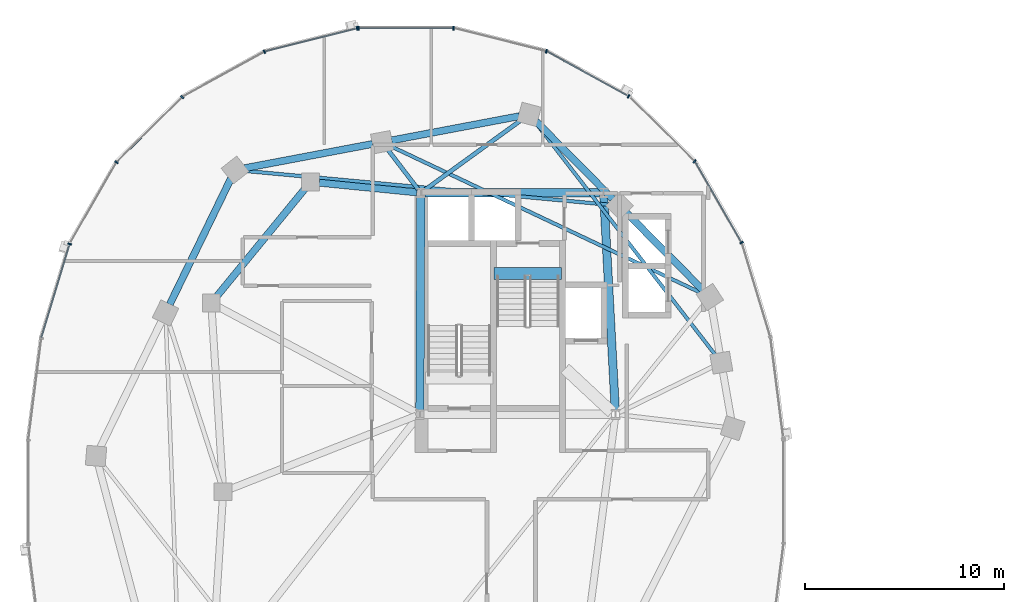
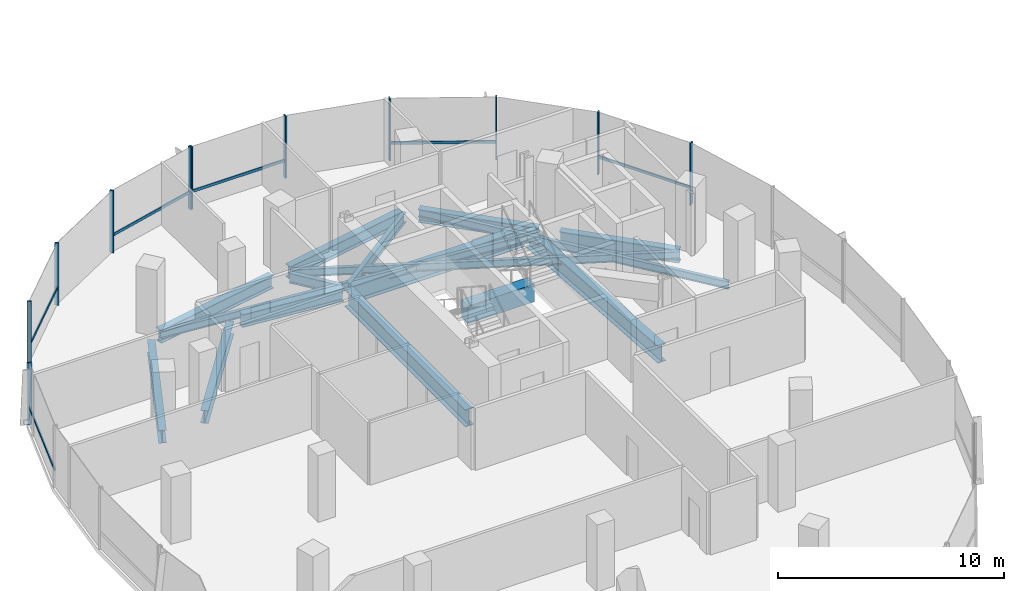
# One storey, part 5 of 22: 17 members, 16 beams, 2 elements without a shape of their own.
"""IFC4 building model written with IfcOpenShell, lengths in metres."""

from ifc_helpers import new_model, si_unit, direction, frame, origin, origin_2d, place, context, subcontext, project, spatial, rectangle, i_section, extrude, material, material_profile, profile_set, type_object, element, aggregate, save


model = new_model("IFC4")

# Units and contexts
model_context = context("Model", 3, precision=1e-05, world=origin(), true_north=direction((0.0, 1.0)))
body_context = subcontext(model_context, "Body", "Model", "MODEL_VIEW")
ifc_project = project(units=[si_unit("LENGTHUNIT", "METRE"), si_unit("AREAUNIT", "SQUARE_METRE"), si_unit("VOLUMEUNIT", "CUBIC_METRE"), si_unit("PLANEANGLEUNIT", "RADIAN"), si_unit("MASSUNIT", "GRAM", prefix="KILO"), si_unit("THERMODYNAMICTEMPERATUREUNIT", "KELVIN"), si_unit("POWERUNIT", "WATT")], contexts=[model_context])

# Site, building, storey
site_placement = place(None, origin())
site = spatial("IfcSite", under=ifc_project, at=site_placement, CompositionType="ELEMENT")
building_placement = place(site_placement, origin())
building = spatial("IfcBuilding", under=site, at=building_placement, Name="Cundina Bronze Exchange", CompositionType="ELEMENT")
storey_placement = place(building_placement, frame((0.0, 0.0, 162.0)))
storey = spatial("IfcBuildingStorey", under=building, at=storey_placement, Name="L42", CompositionType="ELEMENT", Elevation=162.0)

# Beams
ifc_material_1 = material(Name="Concrete C60/75", Category="concrete")
ifc_material_profile_1 = material_profile(ifc_material_1, rectangle(XDim=0.60009765625, YDim=0.949951171875, at=origin_2d()), Name="RC600X950", Category="concrete")
ifc_profile_set_1 = profile_set([ifc_material_profile_1], Name="Concrete C60/75")
beam_type_1 = type_object("IfcBeamType", Name="BM-COUP-RC950", PredefinedType="LINTEL", material=ifc_profile_set_1)
beam_1_placement = place(storey_placement, frame((-27.56005859375, 10.97998046875, -0.47509765625), z_axis=(1.0, 0.0, 0.0), x_axis=(0.0, 1.0, 0.0)))
element("IfcBeam", 1, at=beam_1_placement, inside=storey, type_object=beam_type_1, Name="L42 Stair W2 Landing Header Beam", PredefinedType="LINTEL", context=body_context, shape_type="SweptSolid", body=[
    extrude(rectangle(XDim=0.60009765625, YDim=0.949951171875, at=origin_2d()), origin(), (0.0, 0.0, 1.0), 3.400146484375),
])
ifc_material_2 = material(Name="Steel ASTM A992 Grade 50", Category="steel")
ifc_material_profile_2 = material_profile(ifc_material_2, i_section(OverallWidth=0.2119140625, OverallDepth=0.5439453125, WebThickness=0.01318359375, FlangeThickness=0.021240234375, FilletRadius=0.013916015625, at=origin_2d()), Name="W21X83", Category="steel")
ifc_profile_set_2 = profile_set([ifc_material_profile_2], Name="Steel ASTM A992 Grade 50")
beam_type_2 = type_object("IfcBeamType", Name="BM-FLR-W21A", PredefinedType="BEAM", material=ifc_profile_set_2)
beam_2_placement = place(storey_placement, frame((-31.084716796875, 15.169677734375, -0.511962890625), z_axis=(0.809693047063, 0.586853618492, 0.0), x_axis=(-0.586853618492, 0.809693047063, 0.0)))
element("IfcBeam", 2, at=beam_2_placement, inside=storey, type_object=beam_type_2, Name="L42 Leg W Radial Floor Beam 04", PredefinedType="BEAM", context=body_context, shape_type="SweptSolid", body=[
    extrude(i_section(OverallWidth=0.2119140625, OverallDepth=0.5439453125, WebThickness=0.01318359375, FlangeThickness=0.021240234375, FilletRadius=0.013916015625, at=origin_2d()), origin(), (0.0, 0.0, 1.0), 6.038818359375),
])
beam_3_placement = place(storey_placement, frame((-31.373779296875, 15.2119140625, -0.511962890625), z_axis=(-0.607450107571, 0.794357832977, 0.0), x_axis=(-0.794357832977, -0.607450107571, 0.0)))
element("IfcBeam", 3, at=beam_3_placement, inside=storey, type_object=beam_type_2, Name="L42 Leg W Radial Floor Beam 05", PredefinedType="BEAM", context=body_context, shape_type="SweptSolid", body=[
    extrude(i_section(OverallWidth=0.2119140625, OverallDepth=0.5439453125, WebThickness=0.01318359375, FlangeThickness=0.021240234375, FilletRadius=0.013916015625, at=origin_2d()), origin(), (0.0, 0.0, 1.0), 2.518310546875),
])
ifc_material_profile_3 = material_profile(ifc_material_2, i_section(OverallWidth=0.178955078125, OverallDepth=0.409912109375, WebThickness=0.0087890625, FlangeThickness=0.014404296875, FilletRadius=0.010986328125, at=origin_2d()), Name="W16X45", Category="steel")
ifc_profile_set_3 = profile_set([ifc_material_profile_3], Name="Steel ASTM A992 Grade 50")
beam_type_3 = type_object("IfcBeamType", Name="BM-JST-W16", PredefinedType="JOIST", material=ifc_profile_set_3)
beam_4_placement = place(storey_placement, frame((-16.423583984375, 6.885986328125, -0.445068359375), z_axis=(-0.61208354334, 0.790793105668, 0.0), x_axis=(-0.790793105668, -0.61208354334, 0.0)))
element("IfcBeam", 4, at=beam_4_placement, inside=storey, type_object=beam_type_3, Name="L42 Leg W Lobe Floor Joist 01-04", PredefinedType="JOIST", context=body_context, shape_type="SweptSolid", body=[
    extrude(i_section(OverallWidth=0.178955078125, OverallDepth=0.409912109375, WebThickness=0.0087890625, FlangeThickness=0.014404296875, FilletRadius=0.010986328125, at=origin_2d()), origin(), (0.0, 0.0, 1.0), 14.830810546875),
])
beam_5_placement = place(storey_placement, frame((-17.14111328125, 10.008544921875, -0.445068359375), z_axis=(-0.904074252188, 0.427375416385, 0.0), x_axis=(-0.427375416385, -0.904074252188, 0.0)))
element("IfcBeam", 5, at=beam_5_placement, inside=storey, type_object=beam_type_3, Name="L42 Leg W Lobe Floor Joist 02-05", PredefinedType="JOIST", context=body_context, shape_type="SweptSolid", body=[
    extrude(i_section(OverallWidth=0.178955078125, OverallDepth=0.409912109375, WebThickness=0.0087890625, FlangeThickness=0.014404296875, FilletRadius=0.010986328125, at=origin_2d()), origin(), (0.0, 0.0, 1.0), 17.274658203125),
])
beam_6_placement = place(storey_placement, frame((-21.73583984375, 14.4453125, -0.445068359375), z_axis=(-0.995701840093, 0.092616659595, 0.0), x_axis=(-0.092616659595, -0.995701840093, 0.0)))
element("IfcBeam", 6, at=beam_6_placement, inside=storey, type_object=beam_type_3, Name="L42 Leg W Lobe Floor Joist 03-06", PredefinedType="JOIST", context=body_context, shape_type="SweptSolid", body=[
    extrude(i_section(OverallWidth=0.178955078125, OverallDepth=0.409912109375, WebThickness=0.0087890625, FlangeThickness=0.014404296875, FilletRadius=0.010986328125, at=origin_2d()), origin(), (0.0, 0.0, 1.0), 18.45751953125),
])
ifc_material_profile_4 = material_profile(ifc_material_2, i_section(OverallWidth=0.35498046875, OverallDepth=0.695068359375, WebThickness=0.015380859375, FlangeThickness=0.02490234375, FilletRadius=0.01806640625, at=origin_2d()), Name="W27X146", Category="steel")
ifc_profile_set_4 = profile_set([ifc_material_profile_4], Name="Steel ASTM A992 Grade 50")
beam_type_4 = type_object("IfcBeamType", Name="BM-RING-W27", PredefinedType="USERDEFINED", material=ifc_profile_set_4)
beam_7_placement = place(storey_placement, frame((-31.452880859375, 15.070068359375, -0.58740234375), z_axis=(-0.995123020608, 0.098641643622, 0.0), x_axis=(-0.098641643622, -0.995123020608, 0.0)))
element("IfcBeam", 7, at=beam_7_placement, inside=storey, type_object=beam_type_4, Name="L42 W Inner Structural Ring Girder 01", ObjectType="GIRDER", PredefinedType="USERDEFINED", context=body_context, shape_type="SweptSolid", body=[
    extrude(i_section(OverallWidth=0.35498046875, OverallDepth=0.695068359375, WebThickness=0.015380859375, FlangeThickness=0.02490234375, FilletRadius=0.01806640625, at=origin_2d()), origin(), (0.0, 0.0, 1.0), 4.935302734375),
])
beam_8_placement = place(storey_placement, frame((-37.07763671875, 15.26123046875, -0.58740234375), z_axis=(-0.633912590175, -0.77340469873, 0.0), x_axis=(0.77340469873, -0.633912590175, 0.0)))
element("IfcBeam", 8, at=beam_8_placement, inside=storey, type_object=beam_type_4, Name="L42 W Inner Structural Ring Girder 02", ObjectType="GIRDER", PredefinedType="USERDEFINED", context=body_context, shape_type="SweptSolid", body=[
    extrude(i_section(OverallWidth=0.35498046875, OverallDepth=0.695068359375, WebThickness=0.015380859375, FlangeThickness=0.02490234375, FilletRadius=0.01806640625, at=origin_2d()), origin(), (0.0, 0.0, 1.0), 7.01123046875),
])
beam_9_placement = place(storey_placement, frame((-17.043212890625, 10.14697265625, -0.58740234375), z_axis=(-0.703230112979, 0.710962311378, 0.0), x_axis=(-0.710962311378, -0.703230112979, 0.0)))
element("IfcBeam", 9, at=beam_9_placement, inside=storey, type_object=beam_type_4, Name="L42 W Perimeter Ring Girder 02", ObjectType="GIRDER", PredefinedType="USERDEFINED", context=body_context, shape_type="SweptSolid", body=[
    extrude(i_section(OverallWidth=0.35498046875, OverallDepth=0.695068359375, WebThickness=0.015380859375, FlangeThickness=0.02490234375, FilletRadius=0.01806640625, at=origin_2d()), origin(), (0.0, 0.0, 1.0), 5.493896484375),
])
beam_10_placement = place(storey_placement, frame((-21.59326171875, 14.746826171875, -0.58740234375), z_axis=(-0.703207895705, 0.710984286337, 0.0), x_axis=(-0.710984286337, -0.703207895705, 0.0)))
element("IfcBeam", 10, at=beam_10_placement, inside=storey, type_object=beam_type_4, Name="L42 W Perimeter Ring Girder 03", ObjectType="GIRDER", PredefinedType="USERDEFINED", context=body_context, shape_type="SweptSolid", body=[
    extrude(i_section(OverallWidth=0.35498046875, OverallDepth=0.695068359375, WebThickness=0.015380859375, FlangeThickness=0.02490234375, FilletRadius=0.01806640625, at=origin_2d()), origin(), (0.0, 0.0, 1.0), 5.494140625),
])
beam_11_placement = place(storey_placement, frame((-26.279541015625, 18.9091796875, -0.58740234375), z_axis=(-0.982571532667, -0.185884865421, 0.0), x_axis=(0.185884865421, -0.982571532667, 0.0)))
element("IfcBeam", 11, at=beam_11_placement, inside=storey, type_object=beam_type_4, Name="L42 W Perimeter Ring Girder 04", ObjectType="GIRDER", PredefinedType="USERDEFINED", context=body_context, shape_type="SweptSolid", body=[
    extrude(i_section(OverallWidth=0.35498046875, OverallDepth=0.695068359375, WebThickness=0.015380859375, FlangeThickness=0.02490234375, FilletRadius=0.01806640625, at=origin_2d()), origin(), (0.0, 0.0, 1.0), 6.55517578125),
])
beam_12_placement = place(storey_placement, frame((-33.679443359375, 17.50927734375, -0.58740234375), z_axis=(-0.982572819495, -0.185878063226, 0.0), x_axis=(0.185878063226, -0.982572819495, 0.0)))
element("IfcBeam", 12, at=beam_12_placement, inside=storey, type_object=beam_type_4, Name="L42 W Perimeter Ring Girder 05", ObjectType="GIRDER", PredefinedType="USERDEFINED", context=body_context, shape_type="SweptSolid", body=[
    extrude(i_section(OverallWidth=0.35498046875, OverallDepth=0.695068359375, WebThickness=0.015380859375, FlangeThickness=0.02490234375, FilletRadius=0.01806640625, at=origin_2d()), origin(), (0.0, 0.0, 1.0), 6.555419921875),
])
beam_13_placement = place(storey_placement, frame((-40.8134765625, 15.760986328125, -0.58740234375), z_axis=(-0.437196998825, -0.89936576776, 0.0), x_axis=(0.89936576776, -0.437196998825, 0.0)))
element("IfcBeam", 13, at=beam_13_placement, inside=storey, type_object=beam_type_4, Name="L42 W Perimeter Ring Girder 06", ObjectType="GIRDER", PredefinedType="USERDEFINED", context=body_context, shape_type="SweptSolid", body=[
    extrude(i_section(OverallWidth=0.35498046875, OverallDepth=0.695068359375, WebThickness=0.015380859375, FlangeThickness=0.02490234375, FilletRadius=0.01806640625, at=origin_2d()), origin(), (0.0, 0.0, 1.0), 7.029541015625),
])
ifc_material_profile_5 = material_profile(ifc_material_2, i_section(OverallWidth=0.41796875, OverallDepth=0.927001953125, WebThickness=0.019287109375, FlangeThickness=0.031982421875, FilletRadius=0.02392578125, at=origin_2d()), Name="W36X231", Category="steel")
ifc_profile_set_5 = profile_set([ifc_material_profile_5], Name="Steel ASTM A992 Grade 50")
beam_type_5 = type_object("IfcBeamType", Name="BM-WRN-W36B", PredefinedType="USERDEFINED", material=ifc_profile_set_5)
beam_14_placement = place(storey_placement, frame((-21.4609375, 4.103759765625, -0.70361328125), z_axis=(-0.053739193498, 0.998555005537, 0.0), x_axis=(-0.998555005537, -0.053739193498, 0.0)))
element("IfcBeam", 14, at=beam_14_placement, inside=storey, type_object=beam_type_5, Name="L42 W Core Perimeter Tie Girder 2", ObjectType="GIRDER", PredefinedType="USERDEFINED", context=body_context, shape_type="SweptSolid", body=[
    extrude(i_section(OverallWidth=0.41796875, OverallDepth=0.927001953125, WebThickness=0.019287109375, FlangeThickness=0.031982421875, FilletRadius=0.02392578125, at=origin_2d()), origin(), (0.0, 0.0, 1.0), 10.758056640625),
])
beam_15_placement = place(storey_placement, frame((-22.25390625, 15.050048828125, -0.70361328125), z_axis=(-1.0, 0.0, 0.0), x_axis=(0.0, -1.0, 0.0)))
element("IfcBeam", 15, at=beam_15_placement, inside=storey, type_object=beam_type_5, Name="L42 W Core Perimeter Tie Girder 3", ObjectType="GIRDER", PredefinedType="USERDEFINED", context=body_context, shape_type="SweptSolid", body=[
    extrude(i_section(OverallWidth=0.41796875, OverallDepth=0.927001953125, WebThickness=0.019287109375, FlangeThickness=0.031982421875, FilletRadius=0.02392578125, at=origin_2d()), origin(), (0.0, 0.0, 1.0), 8.7919921875),
])
beam_16_placement = place(storey_placement, frame((-31.2509765625, 14.845947265625, -0.70361328125), z_axis=(-0.004477329608, -0.99998997671, 0.0), x_axis=(0.99998997671, -0.004477329608, 0.0)))
element("IfcBeam", 16, at=beam_16_placement, inside=storey, type_object=beam_type_5, Name="L42 W Core Perimeter Tie Girder 4", ObjectType="GIRDER", PredefinedType="USERDEFINED", context=body_context, shape_type="SweptSolid", body=[
    extrude(i_section(OverallWidth=0.41796875, OverallDepth=0.927001953125, WebThickness=0.019287109375, FlangeThickness=0.031982421875, FilletRadius=0.02392578125, at=origin_2d()), origin(), (0.0, 0.0, 1.0), 10.741943359375),
])

# Curtain wall, members
ifc_material_3 = material(Name="Anodised Bronze Aluminium 6063-T6", Category="aluminium")
curtain_wall_type = type_object("IfcCurtainWallType", Name="CWS-WST-PIN", PredefinedType="NOTDEFINED", material=ifc_material_3)
curtain_wall_1_placement = place(storey_placement, origin())
curtain_wall_1 = element("IfcCurtainWall", 17, at=curtain_wall_1_placement, inside=storey, type_object=curtain_wall_type, Name="L42 CW-04 Curtain Wall Run CWR-L42-W1", PredefinedType="NOTDEFINED")
ifc_material_profile_6 = material_profile(ifc_material_3, rectangle(XDim=0.070068359375, YDim=0.18994140625, at=origin_2d()), Name="AL70X190", Category="aluminium")
ifc_profile_set_6 = profile_set([ifc_material_profile_6], Name="Anodised Bronze Aluminium 6063-T6")
member_type_1 = type_object("IfcMemberType", Name="CWM-MUL-190", PredefinedType="MULLION", material=ifc_profile_set_6)
member_1_placement = place(storey_placement, frame((-15.10205078125, 12.541259765625, 0.0), z_axis=(0.0, 0.0, 1.0), x_axis=(-0.498487739754, 0.866896748936, 0.0)))
member_1 = element("IfcMember", 18, at=member_1_placement, type_object=member_type_1, Name="CW-04 Mullion 3", PredefinedType="MULLION", context=body_context, shape_type="SweptSolid", body=[
    extrude(rectangle(XDim=0.070068359375, YDim=0.18994140625, at=origin_2d()), origin(), (0.0, 0.0, 1.0), 3.360107421875),
])
member_2_placement = place(storey_placement, frame((-17.469482421875, 16.640380859375, 0.0), z_axis=(0.0, 0.0, 1.0), x_axis=(-0.712026045991, 0.702153052995, 0.0)))
member_2 = element("IfcMember", 19, at=member_2_placement, type_object=member_type_1, Name="CW-04 Mullion 4", PredefinedType="MULLION", context=body_context, shape_type="SweptSolid", body=[
    extrude(rectangle(XDim=0.070068359375, YDim=0.18994140625, at=origin_2d()), origin(), (0.0, 0.0, 1.0), 3.360107421875),
])
member_3_placement = place(storey_placement, frame((-20.79345703125, 19.906005859375, 0.0), z_axis=(0.0, 0.0, 1.0), x_axis=(-0.875885937035, 0.482518212408, 0.0)))
member_3 = element("IfcMember", 20, at=member_3_placement, type_object=member_type_1, Name="CW-04 Mullion 5", PredefinedType="MULLION", context=body_context, shape_type="SweptSolid", body=[
    extrude(rectangle(XDim=0.070068359375, YDim=0.18994140625, at=origin_2d()), origin(), (0.0, 0.0, 1.0), 3.360107421875),
])
member_4_placement = place(storey_placement, frame((-24.932373046875, 22.17626953125, 0.0), z_axis=(0.0, 0.0, 1.0), x_axis=(-0.970084240161, 0.242768546132, 0.0)))
member_4 = element("IfcMember", 21, at=member_4_placement, type_object=member_type_1, Name="CW-04 Mullion 6", PredefinedType="MULLION", context=body_context, shape_type="SweptSolid", body=[
    extrude(rectangle(XDim=0.070068359375, YDim=0.18994140625, at=origin_2d()), origin(), (0.0, 0.0, 1.0), 3.360107421875),
])
member_5_placement = place(storey_placement, frame((-29.60595703125, 23.3369140625, 0.0), z_axis=(0.0, 0.0, 1.0), x_axis=(-1.0, 0.0, 0.0)))
member_5 = element("IfcMember", 22, at=member_5_placement, type_object=member_type_1, Name="CW-04 Mullion 7", PredefinedType="MULLION", context=body_context, shape_type="SweptSolid", body=[
    extrude(rectangle(XDim=0.070068359375, YDim=0.18994140625, at=origin_2d()), origin(), (0.0, 0.0, 1.0), 3.360107421875),
])
member_6_placement = place(storey_placement, frame((-34.39404296875, 23.3369140625, 0.0), z_axis=(0.0, 0.0, 1.0), x_axis=(-1.0, 0.0, 0.0)))
member_6 = element("IfcMember", 23, at=member_6_placement, type_object=member_type_1, Name="CW-04 End Mullion", PredefinedType="MULLION", context=body_context, shape_type="SweptSolid", body=[
    extrude(rectangle(XDim=0.070068359375, YDim=0.18994140625, at=origin_2d()), origin(), (0.0, 0.0, 1.0), 3.360107421875),
])

curtain_wall_2_placement = place(storey_placement, origin())
curtain_wall_2 = element("IfcCurtainWall", 24, at=curtain_wall_2_placement, inside=storey, type_object=curtain_wall_type, Name="L42 CW-04 Curtain Wall Run CWR-L42-W2", PredefinedType="NOTDEFINED")
member_7_placement = place(storey_placement, frame((-34.462646484375, 23.32861328125, 0.0), z_axis=(0.0, 0.0, 1.0), x_axis=(-0.970084240161, -0.242768546132, 0.0)))
member_7 = element("IfcMember", 25, at=member_7_placement, type_object=member_type_1, Name="CW-04 Mullion 1", PredefinedType="MULLION", context=body_context, shape_type="SweptSolid", body=[
    extrude(rectangle(XDim=0.070068359375, YDim=0.18994140625, at=origin_2d()), origin(), (0.0, 0.0, 1.0), 3.360107421875),
])
member_8_placement = place(storey_placement, frame((-39.13037109375, 22.151611328125, 0.0), z_axis=(0.0, 0.0, 1.0), x_axis=(-0.875885937035, -0.482518212408, 0.0)))
member_8 = element("IfcMember", 26, at=member_8_placement, type_object=member_type_1, Name="CW-04 Mullion 2", PredefinedType="MULLION", context=body_context, shape_type="SweptSolid", body=[
    extrude(rectangle(XDim=0.070068359375, YDim=0.18994140625, at=origin_2d()), origin(), (0.0, 0.0, 1.0), 3.360107421875),
])
member_9_placement = place(storey_placement, frame((-43.259033203125, 19.86669921875, 0.0), z_axis=(0.0, 0.0, 1.0), x_axis=(-0.712026045991, -0.702153052995, 0.0)))
member_9 = element("IfcMember", 27, at=member_9_placement, type_object=member_type_1, Name="CW-04 Mullion 3", PredefinedType="MULLION", context=body_context, shape_type="SweptSolid", body=[
    extrude(rectangle(XDim=0.070068359375, YDim=0.18994140625, at=origin_2d()), origin(), (0.0, 0.0, 1.0), 3.360107421875),
])
member_10_placement = place(storey_placement, frame((-46.57080078125, 16.588134765625, 0.0), z_axis=(0.0, 0.0, 1.0), x_axis=(-0.498487739754, -0.866896748936, 0.0)))
member_10 = element("IfcMember", 28, at=member_10_placement, type_object=member_type_1, Name="CW-04 Mullion 4", PredefinedType="MULLION", context=body_context, shape_type="SweptSolid", body=[
    extrude(rectangle(XDim=0.070068359375, YDim=0.18994140625, at=origin_2d()), origin(), (0.0, 0.0, 1.0), 3.360107421875),
])
member_11_placement = place(storey_placement, frame((-48.92626953125, 12.4755859375, 0.0), z_axis=(0.0, 0.0, 1.0), x_axis=(-0.290034140915, -0.957016299288, 0.0)))
member_11 = element("IfcMember", 29, at=member_11_placement, type_object=member_type_1, Name="CW-04 Mullion 5", PredefinedType="MULLION", context=body_context, shape_type="SweptSolid", body=[
    extrude(rectangle(XDim=0.070068359375, YDim=0.18994140625, at=origin_2d()), origin(), (0.0, 0.0, 1.0), 3.360107421875),
])

# Member
ifc_material_profile_7 = material_profile(ifc_material_3, rectangle(XDim=0.06494140625, YDim=0.14990234375, at=origin_2d()), Name="AL65X150", Category="aluminium")
ifc_profile_set_7 = profile_set([ifc_material_profile_7], Name="Anodised Bronze Aluminium 6063-T6")
member_type_2 = type_object("IfcMemberType", Name="CWM-TRN-150", PredefinedType="USERDEFINED", material=ifc_profile_set_7)
member_12_placement = place(storey_placement, frame((-15.121337890625, 12.574462890625, 0.919921875), z_axis=(-0.498479967047, 0.866901218394, 0.0), x_axis=(-0.866901218394, -0.498479967047, 0.0)))
member_12 = element("IfcMember", 30, at=member_12_placement, type_object=member_type_2, Name="CW-04 Spandrel Transom 3", ObjectType="TRANSOM", PredefinedType="USERDEFINED", context=body_context, shape_type="SweptSolid", body=[
    extrude(rectangle(XDim=0.06494140625, YDim=0.14990234375, at=origin_2d()), origin(), (0.0, 0.0, 1.0), 4.66845703125),
])

member_13_placement = place(storey_placement, frame((-20.8271484375, 19.924560546875, 0.919921875), z_axis=(-0.875878981549, 0.482530838062, 0.0), x_axis=(-0.482530838062, -0.875878981549, 0.0)))
member_13 = element("IfcMember", 31, at=member_13_placement, type_object=member_type_2, Name="CW-04 Spandrel Transom 5", ObjectType="TRANSOM", PredefinedType="USERDEFINED", context=body_context, shape_type="SweptSolid", body=[
    extrude(rectangle(XDim=0.06494140625, YDim=0.14990234375, at=origin_2d()), origin(), (0.0, 0.0, 1.0), 4.65380859375),
])

member_14_placement = place(storey_placement, frame((-29.64453125, 23.3369140625, 0.919921875), z_axis=(-1.0, 0.0, 0.0), x_axis=(0.0, -1.0, 0.0)))
member_14 = element("IfcMember", 32, at=member_14_placement, type_object=member_type_2, Name="CW-04 Spandrel Transom 7", ObjectType="TRANSOM", PredefinedType="USERDEFINED", context=body_context, shape_type="SweptSolid", body=[
    extrude(rectangle(XDim=0.06494140625, YDim=0.14990234375, at=origin_2d()), origin(), (0.0, 0.0, 1.0), 4.7109375),
])

aggregate(curtain_wall_1, [member_1, member_12, member_2, member_3, member_13, member_4, member_5, member_6, member_14])

member_15_placement = place(storey_placement, frame((-34.5, 23.319091796875, 0.919921875), z_axis=(-0.970100130035, -0.242705042606, 0.0), x_axis=(0.242705042606, -0.970100130035, 0.0)))
member_15 = element("IfcMember", 33, at=member_15_placement, type_object=member_type_2, Name="CW-04 Spandrel Transom 1", ObjectType="TRANSOM", PredefinedType="USERDEFINED", context=body_context, shape_type="SweptSolid", body=[
    extrude(rectangle(XDim=0.06494140625, YDim=0.14990234375, at=origin_2d()), origin(), (0.0, 0.0, 1.0), 4.746826171875),
])

member_16_placement = place(storey_placement, frame((-43.28662109375, 19.839599609375, 0.919921875), z_axis=(-0.712005023839, -0.702174370102, 0.0), x_axis=(0.702174370102, -0.712005023839, 0.0)))
member_16 = element("IfcMember", 34, at=member_16_placement, type_object=member_type_2, Name="CW-04 Spandrel Transom 3", ObjectType="TRANSOM", PredefinedType="USERDEFINED", context=body_context, shape_type="SweptSolid", body=[
    extrude(rectangle(XDim=0.06494140625, YDim=0.14990234375, at=origin_2d()), origin(), (0.0, 0.0, 1.0), 4.594482421875),
])

member_17_placement = place(storey_placement, frame((-48.937255859375, 12.43896484375, 0.919921875), z_axis=(-0.290051855969, -0.957010930371, 0.0), x_axis=(0.957010930371, -0.290051855969, 0.0)))
member_17 = element("IfcMember", 35, at=member_17_placement, type_object=member_type_2, Name="CW-04 Spandrel Transom 5", ObjectType="TRANSOM", PredefinedType="USERDEFINED", context=body_context, shape_type="SweptSolid", body=[
    extrude(rectangle(XDim=0.06494140625, YDim=0.14990234375, at=origin_2d()), origin(), (0.0, 0.0, 1.0), 4.876953125),
])

aggregate(curtain_wall_2, [member_7, member_15, member_8, member_9, member_16, member_10, member_11, member_17])

save(model, "model.ifc")
